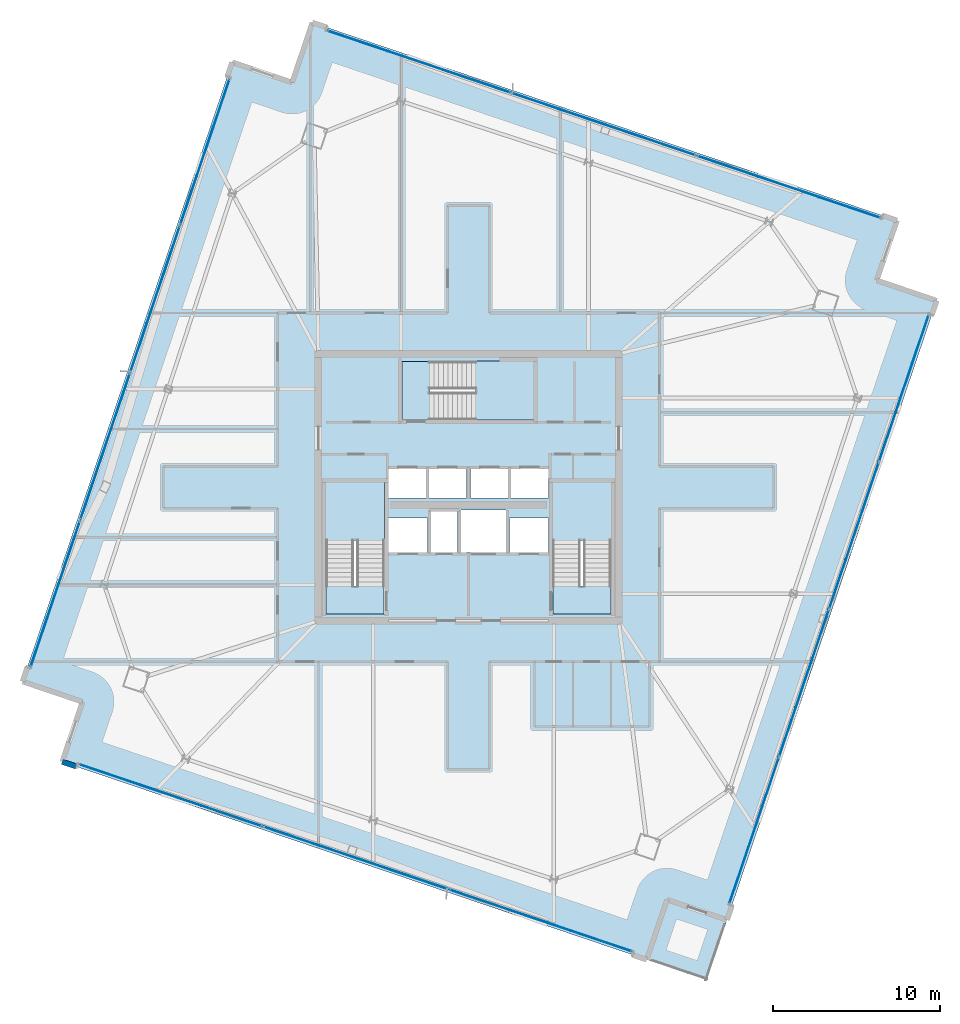
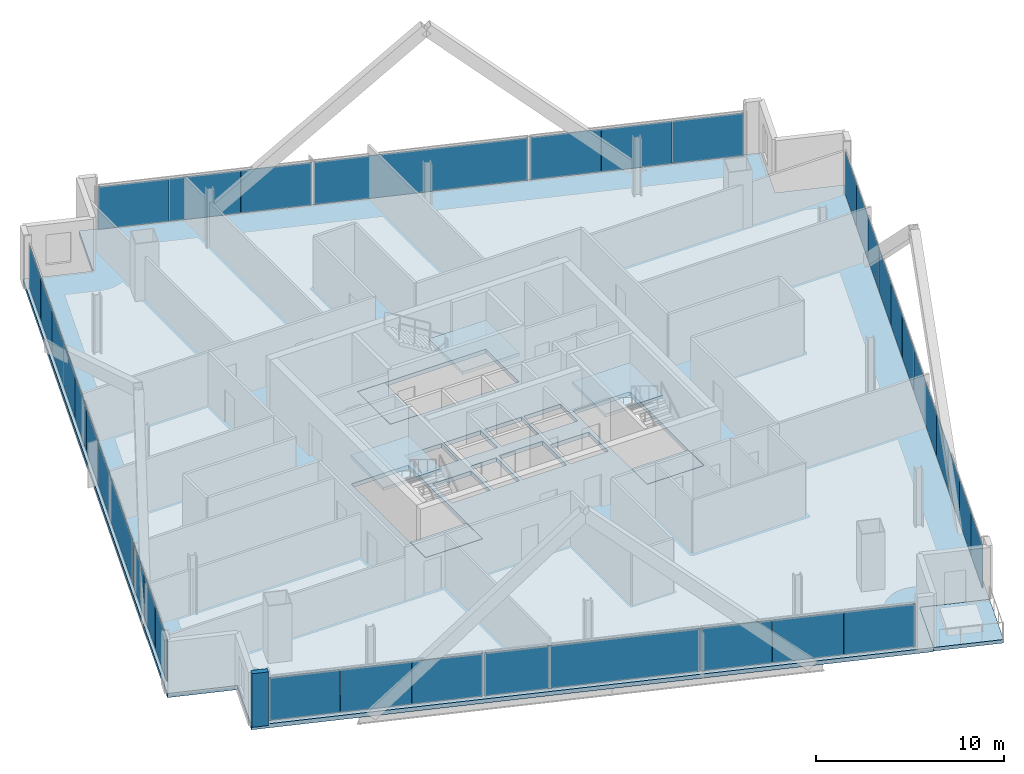
# One storey, part 20 of 29: 36 plates, 8 slabs, 1 wall, 7 elements without a shape of their own.
"""IFC4 building model written with IfcOpenShell, lengths in metres."""

from ifc_helpers import new_model, si_unit, direction, frame, frame_2d, origin, origin_2d, place, context, subcontext, project, spatial, polyline, rectangle, outline, extrude, source, transform, mapped, material, layer, layer_set, type_object, element, aggregate, save


model = new_model("IFC4")

# Units and contexts
model_context = context("Model", 3, precision=1e-05, world=origin(), true_north=direction((0.0, 1.0)))
body_context = subcontext(model_context, "Body", "Model", "MODEL_VIEW")
ifc_project = project(units=[si_unit("LENGTHUNIT", "METRE"), si_unit("AREAUNIT", "SQUARE_METRE"), si_unit("VOLUMEUNIT", "CUBIC_METRE"), si_unit("PLANEANGLEUNIT", "RADIAN"), si_unit("MASSUNIT", "GRAM", prefix="KILO")], contexts=[model_context])

# Site, building, storey
site_placement = place(None, origin())
site = spatial("IfcSite", under=ifc_project, at=site_placement, CompositionType="ELEMENT")
building_placement = place(site_placement, origin())
building = spatial("IfcBuilding", under=site, at=building_placement, Name="Haldenkirk Collegiate Tower", CompositionType="ELEMENT")
storey_placement = place(building_placement, frame((0.0, 0.0, 267.449951171875)))
storey = spatial("IfcBuildingStorey", under=building, at=storey_placement, Name="L67", CompositionType="ELEMENT", Elevation=267.449951171875)

# Slab
ifc_material_1 = material(Name="Concrete f'c 40 MPa", Category="concrete")
ifc_layer_1 = layer(ifc_material_1, 0.27001953125)
ifc_layer_set_1 = layer_set([ifc_layer_1], Name="Concrete f'c 40 MPa")
slab_type_1 = type_object("IfcSlabType", Name="SLB-FLR-270", PredefinedType="FLOOR", material=ifc_layer_set_1)
slab_1_placement = place(storey_placement, frame((0.0, 0.0, -0.27001953125)))
element("IfcSlab", 1, at=slab_1_placement, inside=storey, type_object=slab_type_1, Name="L67 composite structural floor slab", PredefinedType="FLOOR", context=body_context, shape_type="SweptSolid", body=[
    extrude(outline(polyline([(51.501708984375, 0.060546875), (64.06982421875, 37.191162109375), (60.470458984375, 38.40966796875), (61.688720703125, 42.009033203125), (26.64208984375, 53.87158203125), (25.423583984375, 50.272216796875), (21.82421875, 51.490478515625), (9.256103515625, 14.35986328125), (12.855712890625, 13.1416015625), (11.63720703125, 9.542236328125), (46.68408203125, -2.320556640625), (47.90234375, 1.27880859375), (51.501708984375, 0.060546875)]), holes=[polyline([(27.449951171875, 18.39990234375), (30.949951171875, 18.39990234375), (30.949951171875, 26.300048828125), (27.449951171875, 26.300048828125), (27.449951171875, 18.39990234375)]), polyline([(41.050048828125, 18.39990234375), (44.550048828125, 18.39990234375), (44.550048828125, 26.300048828125), (41.050048828125, 26.300048828125), (41.050048828125, 18.39990234375)]), polyline([(32.0, 30.050048828125), (39.89990234375, 30.050048828125), (39.89990234375, 33.550048828125), (32.0, 33.550048828125), (32.0, 30.050048828125)]), polyline([(33.75, 22.10009765625), (35.35009765625, 22.10009765625), (35.35009765625, 24.550048828125), (33.75, 24.550048828125), (33.75, 22.10009765625)]), polyline([(31.199951171875, 25.35009765625), (33.47998046875, 25.35009765625), (33.47998046875, 27.14990234375), (31.199951171875, 27.14990234375), (31.199951171875, 25.35009765625)]), polyline([(33.60009765625, 25.35009765625), (35.8798828125, 25.35009765625), (35.8798828125, 27.14990234375), (33.60009765625, 27.14990234375), (33.60009765625, 25.35009765625)]), polyline([(36.1201171875, 25.35009765625), (38.39990234375, 25.35009765625), (38.39990234375, 27.14990234375), (36.1201171875, 27.14990234375), (36.1201171875, 25.35009765625)]), polyline([(38.52001953125, 25.35009765625), (40.800048828125, 25.35009765625), (40.800048828125, 27.14990234375), (38.52001953125, 27.14990234375), (38.52001953125, 25.35009765625)]), polyline([(31.199951171875, 22.10009765625), (33.550048828125, 22.10009765625), (33.550048828125, 24.14990234375), (31.199951171875, 24.14990234375), (31.199951171875, 22.10009765625)]), polyline([(38.449951171875, 22.10009765625), (40.800048828125, 22.10009765625), (40.800048828125, 24.14990234375), (38.449951171875, 24.14990234375), (38.449951171875, 22.10009765625)]), polyline([(35.550048828125, 22.10009765625), (38.25, 22.10009765625), (38.25, 24.64990234375), (35.550048828125, 24.64990234375), (35.550048828125, 22.10009765625)])]), origin(), (0.0, 0.0, 1.0), 0.27001953125),
])

# Stair, slab
stair_type = type_object("IfcStairType", Name="STR-DOGLEG-1650", PredefinedType="HALF_TURN_STAIR", material=ifc_material_1)
stair_1_placement = place(storey_placement, origin())
stair_1 = element("IfcStair", 2, at=stair_1_placement, inside=storey, type_object=stair_type, Name="L67 Core Exit Stair ST-1", PredefinedType="HALF_TURN_STAIR")
ifc_layer_2 = layer(ifc_material_1, 0.199951171875)
ifc_layer_set_2 = layer_set([ifc_layer_2], Name="Concrete f'c 40 MPa")
slab_type_2 = type_object("IfcSlabType", Name="SLB-LANDING-200", PredefinedType="LANDING", material=ifc_layer_set_2)
slab_2_placement = place(storey_placement, frame((0.0, 0.0, 1.675048828125)))
slab_2 = element("IfcSlab", 3, at=slab_2_placement, type_object=slab_type_2, Name="ST-1 landing 1", PredefinedType="LANDING", context=body_context, shape_type="SweptSolid", body=[
    extrude(outline(polyline([(30.97509765625, 22.824951171875), (27.425048828125, 22.824951171875), (27.425048828125, 26.324951171875), (30.97509765625, 26.324951171875), (30.97509765625, 22.824951171875)])), origin(), (0.0, 0.0, 1.0), 0.199951171875),
])
aggregate(stair_1, [slab_2])

stair_2_placement = place(storey_placement, origin())
stair_2 = element("IfcStair", 4, at=stair_2_placement, inside=storey, type_object=stair_type, Name="L67 Core Exit Stair ST-2", PredefinedType="HALF_TURN_STAIR")
slab_3_placement = place(storey_placement, frame((0.0, 0.0, 1.675048828125)))
slab_3 = element("IfcSlab", 5, at=slab_3_placement, type_object=slab_type_2, Name="ST-2 landing 1", PredefinedType="LANDING", context=body_context, shape_type="SweptSolid", body=[
    extrude(outline(polyline([(44.574951171875, 22.824951171875), (41.02490234375, 22.824951171875), (41.02490234375, 26.324951171875), (44.574951171875, 26.324951171875), (44.574951171875, 22.824951171875)])), origin(), (0.0, 0.0, 1.0), 0.199951171875),
])
aggregate(stair_2, [slab_3])

stair_3_placement = place(storey_placement, origin())
stair_3 = element("IfcStair", 6, at=stair_3_placement, inside=storey, type_object=stair_type, Name="L67 Core Exit Stair ST-3", PredefinedType="HALF_TURN_STAIR")
slab_4_placement = place(storey_placement, frame((0.0, 0.0, 1.675048828125)))
slab_4 = element("IfcSlab", 7, at=slab_4_placement, type_object=slab_type_2, Name="ST-3 landing 1", PredefinedType="LANDING", context=body_context, shape_type="SweptSolid", body=[
    extrude(outline(polyline([(36.425048828125, 30.02490234375), (36.425048828125, 33.574951171875), (39.925048828125, 33.574951171875), (39.925048828125, 30.02490234375), (36.425048828125, 30.02490234375)])), origin(), (0.0, 0.0, 1.0), 0.199951171875),
])
aggregate(stair_3, [slab_4])

# Slabs
ifc_layer_3 = layer(ifc_material_1, 0.25)
ifc_layer_set_3 = layer_set([ifc_layer_3], Name="Concrete f'c 40 MPa")
slab_type_3 = type_object("IfcSlabType", Name="SLB-STAIRLAND-250", PredefinedType="LANDING", material=ifc_layer_set_3)
slab_5_placement = place(storey_placement, frame((0.0, 0.0, -0.25)))
element("IfcSlab", 8, at=slab_5_placement, inside=storey, type_object=slab_type_3, Name="L67 stair ST1 structural floor landing slab", PredefinedType="LANDING", context=body_context, shape_type="SweptSolid", body=[
    extrude(outline(polyline([(27.4599609375, 18.409912109375), (30.93994140625, 18.409912109375), (30.93994140625, 20.080078125), (27.4599609375, 20.080078125), (27.4599609375, 18.409912109375)])), origin(), (0.0, 0.0, 1.0), 0.25),
])
slab_6_placement = place(storey_placement, frame((0.0, 0.0, -0.25)))
element("IfcSlab", 9, at=slab_6_placement, inside=storey, type_object=slab_type_3, Name="L67 stair ST2 structural floor landing slab", PredefinedType="LANDING", context=body_context, shape_type="SweptSolid", body=[
    extrude(outline(polyline([(41.06005859375, 18.409912109375), (44.5400390625, 18.409912109375), (44.5400390625, 20.080078125), (41.06005859375, 20.080078125), (41.06005859375, 18.409912109375)])), origin(), (0.0, 0.0, 1.0), 0.25),
])
slab_7_placement = place(storey_placement, frame((0.0, 0.0, -0.25)))
element("IfcSlab", 10, at=slab_7_placement, inside=storey, type_object=slab_type_3, Name="L67 stair ST3 structural floor landing slab", PredefinedType="LANDING", context=body_context, shape_type="SweptSolid", body=[
    extrude(outline(polyline([(32.010009765625, 30.06005859375), (33.679931640625, 30.06005859375), (33.679931640625, 33.5400390625), (32.010009765625, 33.5400390625), (32.010009765625, 30.06005859375)])), origin(), (0.0, 0.0, 1.0), 0.25),
])
ifc_layer_4 = layer(ifc_material_1, 0.22998046875)
ifc_layer_set_4 = layer_set([ifc_layer_4], Name="Concrete f'c 40 MPa")
slab_type_4 = type_object("IfcSlabType", Name="SLB-TERR-SPIRAL-230", PredefinedType="FLOOR", material=ifc_layer_set_4)
slab_8_placement = place(storey_placement, frame((0.0, 0.0, -0.22998046875)))
element("IfcSlab", 11, at=slab_8_placement, inside=storey, type_object=slab_type_4, Name="L67 spiralling corner terrace slab", PredefinedType="FLOOR", context=body_context, shape_type="SweptSolid", body=[
    extrude(outline(polyline([(50.283447265625, -3.538818359375), (51.501708984375, 0.060546875), (47.90234375, 1.27880859375), (46.68408203125, -2.320556640625), (50.283447265625, -3.538818359375)])), origin(), (0.0, 0.0, 1.0), 0.22998046875),
])

# Curtain wall, plates
ifc_material_2 = material(Name="Anodised architectural bronze aluminium", Category="aluminium")
curtain_wall_type_1 = type_object("IfcCurtainWallType", Name="CW-SYS2-CONCAVE", PredefinedType="USERDEFINED", material=ifc_material_2)
curtain_wall_1_placement = place(storey_placement, origin())
curtain_wall_1 = element("IfcCurtainWall", 12, at=curtain_wall_1_placement, inside=storey, type_object=curtain_wall_type_1, Name="L67 South concave recessed bronze-anodised curtain wall", ObjectType="UNITISED CURTAIN WALL", PredefinedType="USERDEFINED")
ifc_material_3 = material(Name="Bronze-anodised insulated aluminium spandrel panel", Category="aluminium")
ifc_layer_5 = layer(ifc_material_3, 0.0419921875)
ifc_layer_set_5 = layer_set([ifc_layer_5], Name="Bronze-anodised insulated aluminium spandrel panel")
plate_type_1 = type_object("IfcPlateType", Name="CW-SPD-02", PredefinedType="CURTAIN_PANEL", material=ifc_layer_set_5)
shared_shape_1 = source(origin(), body_context, "Body", "SweptSolid", [
    extrude(rectangle(XDim=3.0791015625, YDim=0.0419921875, at=origin_2d()), origin(), (0.0, 0.0, 1.0), 2.7880859375),
])
plate_1_placement = place(storey_placement, frame((60.107421875, 26.046142578125, 0.074951171875), z_axis=(0.0, 0.0, 1.0), x_axis=(-0.320612893328, -0.947210310666, 0.0)))
plate_1 = element("IfcPlate", 13, at=plate_1_placement, type_object=plate_type_1, Name="CW-02 spandrel panel 2.1a", PredefinedType="CURTAIN_PANEL", context=body_context, shape_type="MappedRepresentation", body=[
    mapped(shared_shape_1, transform((0.0, 0.0, 0.0), x_axis=(1.0, 0.0, 0.0), y_axis=(0.0, 1.0, 0.0), z_axis=(0.0, 0.0, 1.0), scale=1.0)),
])
ifc_material_4 = material(Name="Low-E argon triple insulating glass", Category="glass")
ifc_layer_6 = layer(ifc_material_4, 0.0419921875)
ifc_layer_set_6 = layer_set([ifc_layer_6], Name="Low-E argon triple insulating glass")
plate_type_2 = type_object("IfcPlateType", Name="CW-PNL-02", PredefinedType="CURTAIN_PANEL", material=ifc_layer_set_6)
plate_2_placement = place(storey_placement, frame((58.12109375, 20.177490234375, 0.074951171875), z_axis=(0.0, 0.0, 1.0), x_axis=(-0.320612893328, -0.947210310666, 0.0)))
plate_2 = element("IfcPlate", 14, at=plate_2_placement, type_object=plate_type_2, Name="CW-02 panel 2.1c", PredefinedType="CURTAIN_PANEL", context=body_context, shape_type="MappedRepresentation", body=[
    mapped(shared_shape_1, transform((0.0, 0.0, 0.0), x_axis=(1.0, 0.0, 0.0), y_axis=(0.0, 1.0, 0.0), z_axis=(0.0, 0.0, 1.0), scale=1.0)),
])
plate_3_placement = place(storey_placement, frame((57.109619140625, 17.189697265625, 0.074951171875), z_axis=(0.0, 0.0, 1.0), x_axis=(-0.320612893328, -0.947210310666, 0.0)))
plate_3 = element("IfcPlate", 15, at=plate_3_placement, type_object=plate_type_2, Name="CW-02 panel 3.1a", PredefinedType="CURTAIN_PANEL", context=body_context, shape_type="MappedRepresentation", body=[
    mapped(shared_shape_1, transform((0.0, 0.0, 0.0), x_axis=(1.0, 0.0, 0.0), y_axis=(0.0, 1.0, 0.0), z_axis=(0.0, 0.0, 1.0), scale=1.0)),
])
plate_4_placement = place(storey_placement, frame((55.123291015625, 11.321044921875, 0.074951171875), z_axis=(0.0, 0.0, 1.0), x_axis=(-0.320612893328, -0.947210310666, 0.0)))
plate_4 = element("IfcPlate", 16, at=plate_4_placement, type_object=plate_type_1, Name="CW-02 spandrel panel 3.1c", PredefinedType="CURTAIN_PANEL", context=body_context, shape_type="MappedRepresentation", body=[
    mapped(shared_shape_1, transform((0.0, 0.0, 0.0), x_axis=(1.0, 0.0, 0.0), y_axis=(0.0, 1.0, 0.0), z_axis=(0.0, 0.0, 1.0), scale=1.0)),
])
shared_shape_2 = source(origin(), body_context, "Body", "SweptSolid", [
    extrude(rectangle(XDim=3.066650390625, YDim=0.0419921875, at=origin_2d()), origin(), (0.0, 0.0, 1.0), 2.7880859375),
])
plate_5_placement = place(storey_placement, frame((63.09521484375, 34.873046875, 0.074951171875), z_axis=(0.0, 0.0, 1.0), x_axis=(-0.320612893328, -0.947210310666, 0.0)))
plate_5 = element("IfcPlate", 17, at=plate_5_placement, type_object=plate_type_2, Name="CW-02 panel 1.1a", PredefinedType="CURTAIN_PANEL", context=body_context, shape_type="MappedRepresentation", body=[
    mapped(shared_shape_2, transform((0.0, 0.0, 0.0), x_axis=(1.0, 0.0, 0.0), y_axis=(0.0, 1.0, 0.0), z_axis=(0.0, 0.0, 1.0), scale=1.0)),
])
plate_6_placement = place(storey_placement, frame((61.11669921875, 29.02783203125, 0.074951171875), z_axis=(0.0, 0.0, 1.0), x_axis=(-0.320612893328, -0.947210310666, 0.0)))
plate_6 = element("IfcPlate", 18, at=plate_6_placement, type_object=plate_type_1, Name="CW-02 spandrel panel 1.1c", PredefinedType="CURTAIN_PANEL", context=body_context, shape_type="MappedRepresentation", body=[
    mapped(shared_shape_2, transform((0.0, 0.0, 0.0), x_axis=(1.0, 0.0, 0.0), y_axis=(0.0, 1.0, 0.0), z_axis=(0.0, 0.0, 1.0), scale=1.0)),
])
plate_7_placement = place(storey_placement, frame((59.1142578125, 23.11181640625, 0.074951171875), z_axis=(0.0, 0.0, 1.0), x_axis=(-0.320612893328, -0.947210310666, 0.0)))
plate_7 = element("IfcPlate", 19, at=plate_7_placement, type_object=plate_type_2, Name="CW-02 panel 2.1b", PredefinedType="CURTAIN_PANEL", context=body_context, shape_type="MappedRepresentation", body=[
    mapped(shared_shape_2, transform((0.0, 0.0, 0.0), x_axis=(1.0, 0.0, 0.0), y_axis=(0.0, 1.0, 0.0), z_axis=(0.0, 0.0, 1.0), scale=1.0)),
])
plate_8_placement = place(storey_placement, frame((56.116455078125, 14.25537109375, 0.074951171875), z_axis=(0.0, 0.0, 1.0), x_axis=(-0.320612893328, -0.947210310666, 0.0)))
plate_8 = element("IfcPlate", 20, at=plate_8_placement, type_object=plate_type_2, Name="CW-02 panel 3.1b", PredefinedType="CURTAIN_PANEL", context=body_context, shape_type="MappedRepresentation", body=[
    mapped(shared_shape_2, transform((0.0, 0.0, 0.0), x_axis=(1.0, 0.0, 0.0), y_axis=(0.0, 1.0, 0.0), z_axis=(0.0, 0.0, 1.0), scale=1.0)),
])
plate_9_placement = place(storey_placement, frame((54.114013671875, 8.33935546875, 0.074951171875), z_axis=(0.0, 0.0, 1.0), x_axis=(-0.320612893328, -0.947210310666, 0.0)))
plate_9 = element("IfcPlate", 21, at=plate_9_placement, type_object=plate_type_1, Name="CW-02 spandrel panel 4.1a", PredefinedType="CURTAIN_PANEL", context=body_context, shape_type="MappedRepresentation", body=[
    mapped(shared_shape_2, transform((0.0, 0.0, 0.0), x_axis=(1.0, 0.0, 0.0), y_axis=(0.0, 1.0, 0.0), z_axis=(0.0, 0.0, 1.0), scale=1.0)),
])
plate_10_placement = place(storey_placement, frame((52.135498046875, 2.494140625, 0.074951171875), z_axis=(0.0, 0.0, 1.0), x_axis=(-0.320612893328, -0.947210310666, 0.0)))
plate_10 = element("IfcPlate", 22, at=plate_10_placement, type_object=plate_type_2, Name="CW-02 panel 4.1c", PredefinedType="CURTAIN_PANEL", context=body_context, shape_type="MappedRepresentation", body=[
    mapped(shared_shape_2, transform((0.0, 0.0, 0.0), x_axis=(1.0, 0.0, 0.0), y_axis=(0.0, 1.0, 0.0), z_axis=(0.0, 0.0, 1.0), scale=1.0)),
])

curtain_wall_type_2 = type_object("IfcCurtainWallType", Name="CW-SYS1B-CONVEX-HI", PredefinedType="USERDEFINED", material=ifc_material_2)
curtain_wall_2_placement = place(storey_placement, origin())
curtain_wall_2 = element("IfcCurtainWall", 23, at=curtain_wall_2_placement, inside=storey, type_object=curtain_wall_type_2, Name="L67 Upper tower high-wind convex bronze unitised curtain wall", ObjectType="UNITISED CURTAIN WALL", PredefinedType="USERDEFINED")
ifc_layer_7 = layer(ifc_material_4, 0.048095703125)
ifc_layer_set_7 = layer_set([ifc_layer_7], Name="Low-E argon triple insulating glass")
plate_type_3 = type_object("IfcPlateType", Name="CW-PNL-1B", PredefinedType="CURTAIN_PANEL", material=ifc_layer_set_7)
shared_shape_3 = source(origin(), body_context, "Body", "SweptSolid", [
    extrude(rectangle(XDim=3.07568359375, YDim=0.048095703125, at=origin_2d()), origin(), (0.0, 0.0, 1.0), 2.76806640625),
])
plate_11_placement = place(storey_placement, frame((16.217529296875, 34.364501953125, 0.0849609375), z_axis=(0.0, 0.0, 1.0), x_axis=(0.320612081329, 0.947210585512, 0.0)))
plate_11 = element("IfcPlate", 24, at=plate_11_placement, type_object=plate_type_3, Name="CW-1B panel 3.1a", PredefinedType="CURTAIN_PANEL", context=body_context, shape_type="MappedRepresentation", body=[
    mapped(shared_shape_3, transform((0.0, 0.0, 0.0), x_axis=(1.0, 0.0, 0.0), y_axis=(0.0, 1.0, 0.0), z_axis=(0.0, 0.0, 1.0), scale=1.0)),
])
ifc_layer_8 = layer(ifc_material_3, 0.048095703125)
ifc_layer_set_8 = layer_set([ifc_layer_8], Name="Bronze-anodised insulated aluminium spandrel panel")
plate_type_4 = type_object("IfcPlateType", Name="CW-SPD-1B", PredefinedType="CURTAIN_PANEL", material=ifc_layer_set_8)
plate_12_placement = place(storey_placement, frame((18.201904296875, 40.22705078125, 0.0849609375), z_axis=(0.0, 0.0, 1.0), x_axis=(0.320612081329, 0.947210585512, 0.0)))
plate_12 = element("IfcPlate", 25, at=plate_12_placement, type_object=plate_type_4, Name="CW-1B spandrel panel 3.1c", PredefinedType="CURTAIN_PANEL", context=body_context, shape_type="MappedRepresentation", body=[
    mapped(shared_shape_3, transform((0.0, 0.0, 0.0), x_axis=(1.0, 0.0, 0.0), y_axis=(0.0, 1.0, 0.0), z_axis=(0.0, 0.0, 1.0), scale=1.0)),
])
shared_shape_4 = source(origin(), body_context, "Body", "SweptSolid", [
    extrude(rectangle(XDim=3.063232421875, YDim=0.048095703125, at=origin_2d()), origin(), (0.0, 0.0, 1.0), 2.76806640625),
])
plate_13_placement = place(storey_placement, frame((17.209716796875, 37.2958984375, 0.0849609375), z_axis=(0.0, 0.0, 1.0), x_axis=(0.320612081329, 0.947210585512, 0.0)))
plate_13 = element("IfcPlate", 26, at=plate_13_placement, type_object=plate_type_3, Name="CW-1B panel 3.1b", PredefinedType="CURTAIN_PANEL", context=body_context, shape_type="MappedRepresentation", body=[
    mapped(shared_shape_4, transform((0.0, 0.0, 0.0), x_axis=(1.0, 0.0, 0.0), y_axis=(0.0, 1.0, 0.0), z_axis=(0.0, 0.0, 1.0), scale=1.0)),
])

# Plate
shared_shape_5 = source(origin(), body_context, "Body", "SweptSolid", [
    extrude(rectangle(XDim=3.05419921875, YDim=0.0419921875, at=origin_2d()), origin(), (0.0, 0.0, 1.0), 2.7880859375),
])
plate_14_placement = place(storey_placement, frame((62.10595703125, 31.950439453125, 0.074951171875), z_axis=(0.0, 0.0, 1.0), x_axis=(-0.320612893328, -0.947210310666, 0.0)))
plate_14 = element("IfcPlate", 27, at=plate_14_placement, type_object=plate_type_1, Name="CW-02 spandrel panel 1.1b", PredefinedType="CURTAIN_PANEL", context=body_context, shape_type="MappedRepresentation", body=[
    mapped(shared_shape_5, transform((0.0, 0.0, 0.0), x_axis=(1.0, 0.0, 0.0), y_axis=(0.0, 1.0, 0.0), z_axis=(0.0, 0.0, 1.0), scale=1.0)),
])

plate_15_placement = place(storey_placement, frame((53.124755859375, 5.416748046875, 0.074951171875), z_axis=(0.0, 0.0, 1.0), x_axis=(-0.320612893328, -0.947210310666, 0.0)))
plate_15 = element("IfcPlate", 28, at=plate_15_placement, type_object=plate_type_1, Name="CW-02 spandrel panel 4.1b", PredefinedType="CURTAIN_PANEL", context=body_context, shape_type="MappedRepresentation", body=[
    mapped(shared_shape_5, transform((0.0, 0.0, 0.0), x_axis=(1.0, 0.0, 0.0), y_axis=(0.0, 1.0, 0.0), z_axis=(0.0, 0.0, 1.0), scale=1.0)),
])

aggregate(curtain_wall_1, [plate_5, plate_14, plate_6, plate_1, plate_7, plate_2, plate_3, plate_8, plate_4, plate_9, plate_15, plate_10])

# Curtain wall, plates
curtain_wall_3_placement = place(storey_placement, origin())
curtain_wall_3 = element("IfcCurtainWall", 29, at=curtain_wall_3_placement, inside=storey, type_object=curtain_wall_type_2, Name="L67 Upper tower high-wind convex bronze unitised curtain wall", ObjectType="UNITISED CURTAIN WALL", PredefinedType="USERDEFINED")
shared_shape_6 = source(origin(), body_context, "Body", "SweptSolid", [
    extrude(rectangle(XDim=3.856201171875, YDim=0.048095703125, at=origin_2d()), origin(), (0.0, 0.0, 1.0), 2.76806640625),
])
plate_16_placement = place(storey_placement, frame((29.343505859375, 52.76708984375, 0.0849609375), z_axis=(0.0, 0.0, 1.0), x_axis=(0.947210076444, -0.320613585306, 0.0)))
plate_16 = element("IfcPlate", 30, at=plate_16_placement, type_object=plate_type_3, Name="CW-1B panel 1.1a", PredefinedType="CURTAIN_PANEL", context=body_context, shape_type="MappedRepresentation", body=[
    mapped(shared_shape_6, transform((0.0, 0.0, 0.0), x_axis=(1.0, 0.0, 0.0), y_axis=(0.0, 1.0, 0.0), z_axis=(0.0, 0.0, 1.0), scale=1.0)),
])
plate_17_placement = place(storey_placement, frame((36.68408203125, 50.282470703125, 0.0849609375), z_axis=(0.0, 0.0, 1.0), x_axis=(0.947210076444, -0.320613585306, 0.0)))
plate_17 = element("IfcPlate", 31, at=plate_17_placement, type_object=plate_type_4, Name="CW-1B spandrel panel 1.1c", PredefinedType="CURTAIN_PANEL", context=body_context, shape_type="MappedRepresentation", body=[
    mapped(shared_shape_6, transform((0.0, 0.0, 0.0), x_axis=(1.0, 0.0, 0.0), y_axis=(0.0, 1.0, 0.0), z_axis=(0.0, 0.0, 1.0), scale=1.0)),
])
plate_18_placement = place(storey_placement, frame((51.53125, 45.257080078125, 0.0849609375), z_axis=(0.0, 0.0, 1.0), x_axis=(0.947210076444, -0.320613585306, 0.0)))
plate_18 = element("IfcPlate", 32, at=plate_18_placement, type_object=plate_type_4, Name="CW-1B spandrel panel 3.1a", PredefinedType="CURTAIN_PANEL", context=body_context, shape_type="MappedRepresentation", body=[
    mapped(shared_shape_6, transform((0.0, 0.0, 0.0), x_axis=(1.0, 0.0, 0.0), y_axis=(0.0, 1.0, 0.0), z_axis=(0.0, 0.0, 1.0), scale=1.0)),
])
plate_19_placement = place(storey_placement, frame((58.871826171875, 42.7724609375, 0.0849609375), z_axis=(0.0, 0.0, 1.0), x_axis=(0.947210076444, -0.320613585306, 0.0)))
plate_19 = element("IfcPlate", 33, at=plate_19_placement, type_object=plate_type_3, Name="CW-1B panel 3.1c", PredefinedType="CURTAIN_PANEL", context=body_context, shape_type="MappedRepresentation", body=[
    mapped(shared_shape_6, transform((0.0, 0.0, 0.0), x_axis=(1.0, 0.0, 0.0), y_axis=(0.0, 1.0, 0.0), z_axis=(0.0, 0.0, 1.0), scale=1.0)),
])

curtain_wall_4_placement = place(storey_placement, origin())
curtain_wall_4 = element("IfcCurtainWall", 34, at=curtain_wall_4_placement, inside=storey, type_object=curtain_wall_type_2, Name="L67 Upper tower high-wind convex bronze unitised curtain wall", ObjectType="UNITISED CURTAIN WALL", PredefinedType="USERDEFINED")
plate_20_placement = place(storey_placement, frame((43.982421875, -1.216064453125, 0.0849609375), z_axis=(0.0, 0.0, 1.0), x_axis=(-0.94721093919, 0.320611036427, 0.0)))
plate_20 = element("IfcPlate", 35, at=plate_20_placement, type_object=plate_type_3, Name="CW-1B panel 1.1a", PredefinedType="CURTAIN_PANEL", context=body_context, shape_type="MappedRepresentation", body=[
    mapped(shared_shape_6, transform((0.0, 0.0, 0.0), x_axis=(1.0, 0.0, 0.0), y_axis=(0.0, 1.0, 0.0), z_axis=(0.0, 0.0, 1.0), scale=1.0)),
])
plate_21_placement = place(storey_placement, frame((36.641845703125, 1.268798828125, 0.0849609375), z_axis=(0.0, 0.0, 1.0), x_axis=(-0.94721093919, 0.320611036427, 0.0)))
plate_21 = element("IfcPlate", 36, at=plate_21_placement, type_object=plate_type_4, Name="CW-1B spandrel panel 1.1c", PredefinedType="CURTAIN_PANEL", context=body_context, shape_type="MappedRepresentation", body=[
    mapped(shared_shape_6, transform((0.0, 0.0, 0.0), x_axis=(1.0, 0.0, 0.0), y_axis=(0.0, 1.0, 0.0), z_axis=(0.0, 0.0, 1.0), scale=1.0)),
])
plate_22_placement = place(storey_placement, frame((21.794921875, 6.2939453125, 0.0849609375), z_axis=(0.0, 0.0, 1.0), x_axis=(-0.94721093919, 0.320611036427, 0.0)))
plate_22 = element("IfcPlate", 37, at=plate_22_placement, type_object=plate_type_4, Name="CW-1B spandrel panel 3.1a", PredefinedType="CURTAIN_PANEL", context=body_context, shape_type="MappedRepresentation", body=[
    mapped(shared_shape_6, transform((0.0, 0.0, 0.0), x_axis=(1.0, 0.0, 0.0), y_axis=(0.0, 1.0, 0.0), z_axis=(0.0, 0.0, 1.0), scale=1.0)),
])
plate_23_placement = place(storey_placement, frame((14.454345703125, 8.77880859375, 0.0849609375), z_axis=(0.0, 0.0, 1.0), x_axis=(-0.94721093919, 0.320611036427, 0.0)))
plate_23 = element("IfcPlate", 38, at=plate_23_placement, type_object=plate_type_3, Name="CW-1B panel 3.1c", PredefinedType="CURTAIN_PANEL", context=body_context, shape_type="MappedRepresentation", body=[
    mapped(shared_shape_6, transform((0.0, 0.0, 0.0), x_axis=(1.0, 0.0, 0.0), y_axis=(0.0, 1.0, 0.0), z_axis=(0.0, 0.0, 1.0), scale=1.0)),
])

# Plate
shared_shape_7 = source(origin(), body_context, "Body", "SweptSolid", [
    extrude(rectangle(XDim=3.843505859375, YDim=0.048095703125, at=origin_2d()), origin(), (0.0, 0.0, 1.0), 2.76806640625),
])
plate_24_placement = place(storey_placement, frame((33.013916015625, 51.52490234375, 0.0849609375), z_axis=(0.0, 0.0, 1.0), x_axis=(0.947210076444, -0.320613585306, 0.0)))
plate_24 = element("IfcPlate", 39, at=plate_24_placement, type_object=plate_type_4, Name="CW-1B spandrel panel 1.1b", PredefinedType="CURTAIN_PANEL", context=body_context, shape_type="MappedRepresentation", body=[
    mapped(shared_shape_7, transform((0.0, 0.0, 0.0), x_axis=(1.0, 0.0, 0.0), y_axis=(0.0, 1.0, 0.0), z_axis=(0.0, 0.0, 1.0), scale=1.0)),
])

plate_25_placement = place(storey_placement, frame((55.201416015625, 44.0146484375, 0.0849609375), z_axis=(0.0, 0.0, 1.0), x_axis=(0.947210076444, -0.320613585306, 0.0)))
plate_25 = element("IfcPlate", 40, at=plate_25_placement, type_object=plate_type_4, Name="CW-1B spandrel panel 3.1b", PredefinedType="CURTAIN_PANEL", context=body_context, shape_type="MappedRepresentation", body=[
    mapped(shared_shape_7, transform((0.0, 0.0, 0.0), x_axis=(1.0, 0.0, 0.0), y_axis=(0.0, 1.0, 0.0), z_axis=(0.0, 0.0, 1.0), scale=1.0)),
])

plate_26_placement = place(storey_placement, frame((40.312255859375, 0.0263671875, 0.0849609375), z_axis=(0.0, 0.0, 1.0), x_axis=(-0.94721093919, 0.320611036427, 0.0)))
plate_26 = element("IfcPlate", 41, at=plate_26_placement, type_object=plate_type_4, Name="CW-1B spandrel panel 1.1b", PredefinedType="CURTAIN_PANEL", context=body_context, shape_type="MappedRepresentation", body=[
    mapped(shared_shape_7, transform((0.0, 0.0, 0.0), x_axis=(1.0, 0.0, 0.0), y_axis=(0.0, 1.0, 0.0), z_axis=(0.0, 0.0, 1.0), scale=1.0)),
])

plate_27_placement = place(storey_placement, frame((18.12451171875, 7.536376953125, 0.0849609375), z_axis=(0.0, 0.0, 1.0), x_axis=(-0.94721093919, 0.320611036427, 0.0)))
plate_27 = element("IfcPlate", 42, at=plate_27_placement, type_object=plate_type_4, Name="CW-1B spandrel panel 3.1b", PredefinedType="CURTAIN_PANEL", context=body_context, shape_type="MappedRepresentation", body=[
    mapped(shared_shape_7, transform((0.0, 0.0, 0.0), x_axis=(1.0, 0.0, 0.0), y_axis=(0.0, 1.0, 0.0), z_axis=(0.0, 0.0, 1.0), scale=1.0)),
])

shared_shape_8 = source(origin(), body_context, "Body", "SweptSolid", [
    extrude(rectangle(XDim=3.061767578125, YDim=0.048095703125, at=origin_2d()), origin(), (0.0, 0.0, 1.0), 2.76806640625),
])
plate_28_placement = place(storey_placement, frame((10.2333984375, 16.685302734375, 0.0849609375), z_axis=(0.0, 0.0, 1.0), x_axis=(0.320612081329, 0.947210585512, 0.0)))
plate_28 = element("IfcPlate", 43, at=plate_28_placement, type_object=plate_type_3, Name="CW-1B panel 1.1a", PredefinedType="CURTAIN_PANEL", context=body_context, shape_type="MappedRepresentation", body=[
    mapped(shared_shape_8, transform((0.0, 0.0, 0.0), x_axis=(1.0, 0.0, 0.0), y_axis=(0.0, 1.0, 0.0), z_axis=(0.0, 0.0, 1.0), scale=1.0)),
])

plate_29_placement = place(storey_placement, frame((12.20849609375, 22.520751953125, 0.0849609375), z_axis=(0.0, 0.0, 1.0), x_axis=(0.320612081329, 0.947210585512, 0.0)))
plate_29 = element("IfcPlate", 44, at=plate_29_placement, type_object=plate_type_4, Name="CW-1B spandrel panel 1.1c", PredefinedType="CURTAIN_PANEL", context=body_context, shape_type="MappedRepresentation", body=[
    mapped(shared_shape_8, transform((0.0, 0.0, 0.0), x_axis=(1.0, 0.0, 0.0), y_axis=(0.0, 1.0, 0.0), z_axis=(0.0, 0.0, 1.0), scale=1.0)),
])

plate_30_placement = place(storey_placement, frame((19.212890625, 43.21435546875, 0.0849609375), z_axis=(0.0, 0.0, 1.0), x_axis=(0.320612081329, 0.947210585512, 0.0)))
plate_30 = element("IfcPlate", 45, at=plate_30_placement, type_object=plate_type_4, Name="CW-1B spandrel panel 4.1a", PredefinedType="CURTAIN_PANEL", context=body_context, shape_type="MappedRepresentation", body=[
    mapped(shared_shape_8, transform((0.0, 0.0, 0.0), x_axis=(1.0, 0.0, 0.0), y_axis=(0.0, 1.0, 0.0), z_axis=(0.0, 0.0, 1.0), scale=1.0)),
])

plate_31_placement = place(storey_placement, frame((21.18798828125, 49.0498046875, 0.0849609375), z_axis=(0.0, 0.0, 1.0), x_axis=(0.320612081329, 0.947210585512, 0.0)))
plate_31 = element("IfcPlate", 46, at=plate_31_placement, type_object=plate_type_3, Name="CW-1B panel 4.1c", PredefinedType="CURTAIN_PANEL", context=body_context, shape_type="MappedRepresentation", body=[
    mapped(shared_shape_8, transform((0.0, 0.0, 0.0), x_axis=(1.0, 0.0, 0.0), y_axis=(0.0, 1.0, 0.0), z_axis=(0.0, 0.0, 1.0), scale=1.0)),
])

shared_shape_9 = source(origin(), body_context, "Body", "SweptSolid", [
    extrude(rectangle(XDim=3.04931640625, YDim=0.048095703125, at=origin_2d()), origin(), (0.0, 0.0, 1.0), 2.76806640625),
])
plate_32_placement = place(storey_placement, frame((11.220947265625, 19.60302734375, 0.0849609375), z_axis=(0.0, 0.0, 1.0), x_axis=(0.320612081329, 0.947210585512, 0.0)))
plate_32 = element("IfcPlate", 47, at=plate_32_placement, type_object=plate_type_4, Name="CW-1B spandrel panel 1.1b", PredefinedType="CURTAIN_PANEL", context=body_context, shape_type="MappedRepresentation", body=[
    mapped(shared_shape_9, transform((0.0, 0.0, 0.0), x_axis=(1.0, 0.0, 0.0), y_axis=(0.0, 1.0, 0.0), z_axis=(0.0, 0.0, 1.0), scale=1.0)),
])

plate_33_placement = place(storey_placement, frame((20.200439453125, 46.132080078125, 0.0849609375), z_axis=(0.0, 0.0, 1.0), x_axis=(0.320612081329, 0.947210585512, 0.0)))
plate_33 = element("IfcPlate", 48, at=plate_33_placement, type_object=plate_type_4, Name="CW-1B spandrel panel 4.1b", PredefinedType="CURTAIN_PANEL", context=body_context, shape_type="MappedRepresentation", body=[
    mapped(shared_shape_9, transform((0.0, 0.0, 0.0), x_axis=(1.0, 0.0, 0.0), y_axis=(0.0, 1.0, 0.0), z_axis=(0.0, 0.0, 1.0), scale=1.0)),
])

shared_shape_10 = source(origin(), body_context, "Body", "SweptSolid", [
    extrude(rectangle(XDim=11.6484375, YDim=0.048095703125, at=origin_2d()), origin(), (0.0, 0.0, 1.0), 2.76806640625),
])
plate_34_placement = place(storey_placement, frame((44.107666015625, 47.769775390625, 0.0849609375), z_axis=(0.0, 0.0, 1.0), x_axis=(0.947210076444, -0.320613585306, 0.0)))
plate_34 = element("IfcPlate", 49, at=plate_34_placement, type_object=plate_type_3, Name="CW-1B panel 2.1", PredefinedType="CURTAIN_PANEL", context=body_context, shape_type="MappedRepresentation", body=[
    mapped(shared_shape_10, transform((0.0, 0.0, 0.0), x_axis=(1.0, 0.0, 0.0), y_axis=(0.0, 1.0, 0.0), z_axis=(0.0, 0.0, 1.0), scale=1.0)),
])

aggregate(curtain_wall_3, [plate_16, plate_24, plate_17, plate_34, plate_18, plate_25, plate_19])

plate_35_placement = place(storey_placement, frame((29.218505859375, 3.78125, 0.0849609375), z_axis=(0.0, 0.0, 1.0), x_axis=(-0.94721093919, 0.320611036427, 0.0)))
plate_35 = element("IfcPlate", 50, at=plate_35_placement, type_object=plate_type_3, Name="CW-1B panel 2.1", PredefinedType="CURTAIN_PANEL", context=body_context, shape_type="MappedRepresentation", body=[
    mapped(shared_shape_10, transform((0.0, 0.0, 0.0), x_axis=(1.0, 0.0, 0.0), y_axis=(0.0, 1.0, 0.0), z_axis=(0.0, 0.0, 1.0), scale=1.0)),
])

aggregate(curtain_wall_4, [plate_20, plate_26, plate_21, plate_35, plate_22, plate_27, plate_23])

shared_shape_11 = source(origin(), body_context, "Body", "SweptSolid", [
    extrude(rectangle(XDim=9.264892578125, YDim=0.048095703125, at=origin_2d()), origin(), (0.0, 0.0, 1.0), 2.76806640625),
])
plate_36_placement = place(storey_placement, frame((14.2119140625, 28.439453125, 0.0849609375), z_axis=(0.0, 0.0, 1.0), x_axis=(0.320612081329, 0.947210585512, 0.0)))
plate_36 = element("IfcPlate", 51, at=plate_36_placement, type_object=plate_type_3, Name="CW-1B panel 2.1", PredefinedType="CURTAIN_PANEL", context=body_context, shape_type="MappedRepresentation", body=[
    mapped(shared_shape_11, transform((0.0, 0.0, 0.0), x_axis=(1.0, 0.0, 0.0), y_axis=(0.0, 1.0, 0.0), z_axis=(0.0, 0.0, 1.0), scale=1.0)),
])

aggregate(curtain_wall_2, [plate_28, plate_32, plate_29, plate_36, plate_11, plate_13, plate_12, plate_30, plate_33, plate_31])

# Wall
ifc_material_5 = material(Name="Precast concrete f'c 40 MPa", Category="concrete")
ifc_layer_9 = layer(ifc_material_5, 0.320068359375)
ifc_layer_set_9 = layer_set([ifc_layer_9], Name="Precast concrete f'c 40 MPa")
wall_type = type_object("IfcWallType", Name="WL-EXT-TWR-320", PredefinedType="STANDARD", material=ifc_layer_set_9)
wall_placement = place(storey_placement, frame((12.48974609375, 9.253662109375, 0.0), z_axis=(0.0, 0.0, 1.0), x_axis=(-0.947208365754, 0.320618639267, 0.0)))
element("IfcWall", 52, at=wall_placement, inside=storey, type_object=wall_type, Name="L67 precast corner pier WR", PredefinedType="STANDARD", context=body_context, shape_type="SweptSolid", body=[
    extrude(rectangle(XDim=0.900146484375, YDim=0.320068359375, at=frame_2d((0.4501953125, 0.0))), origin(), (0.0, 0.0, 1.0), 3.47998046875),
])

save(model, "model.ifc")
